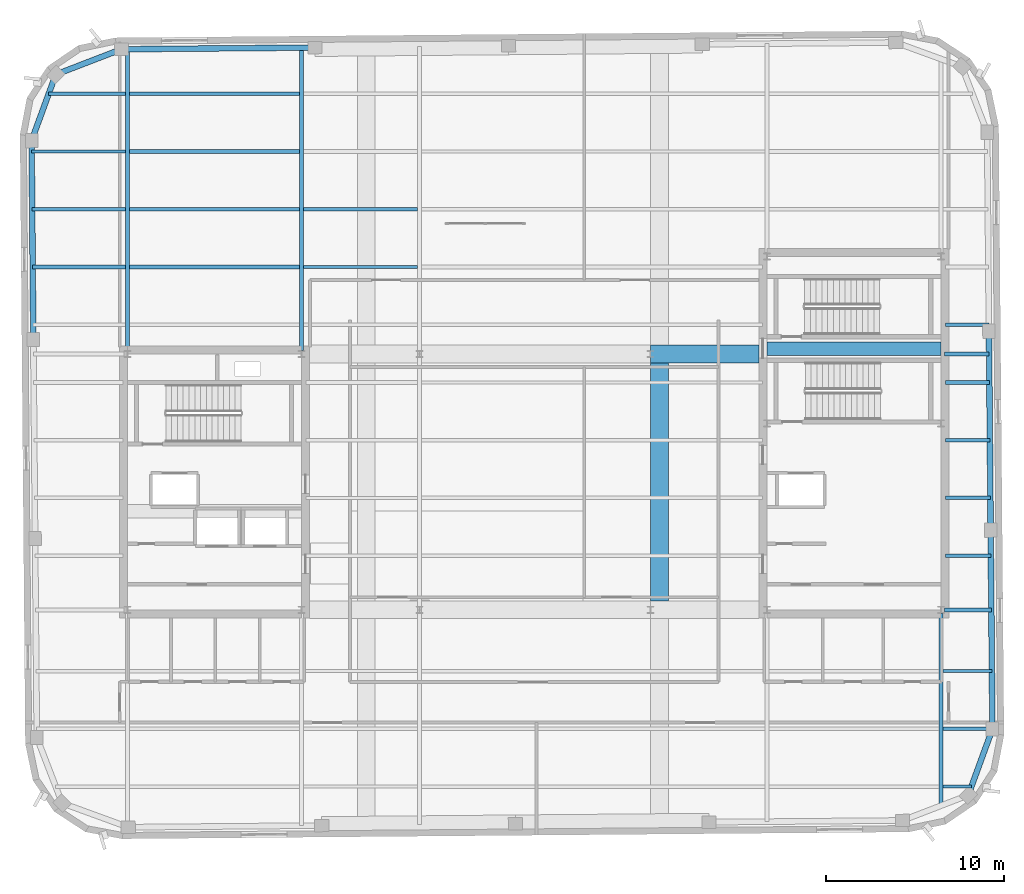
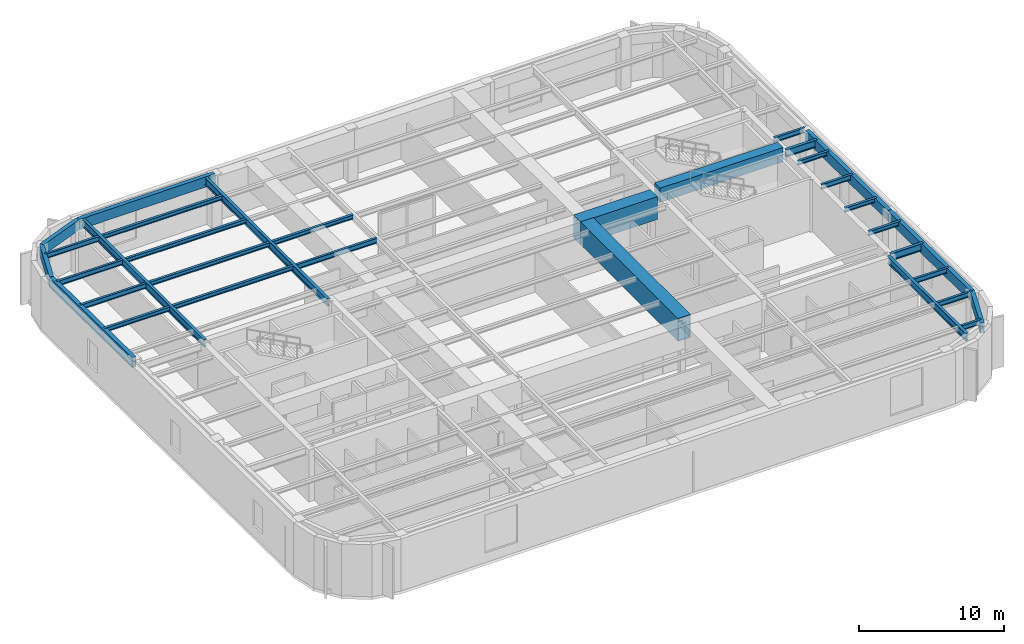
# One storey, part 5 of 14: 33 beams.
"""IFC4 building model written with IfcOpenShell, lengths in metres."""

from ifc_helpers import new_model, si_unit, direction, frame, origin, origin_2d, place, context, subcontext, project, spatial, rectangle, hollow_rectangle, i_section, extrude, material, material_profile, profile_set, type_object, element, save


model = new_model("IFC4")

# Units and contexts
model_context = context("Model", 3, precision=1e-05, world=origin(), true_north=direction((0.0, 1.0)))
body_context = subcontext(model_context, "Body", "Model", "MODEL_VIEW")
ifc_project = project(units=[si_unit("LENGTHUNIT", "METRE"), si_unit("AREAUNIT", "SQUARE_METRE"), si_unit("VOLUMEUNIT", "CUBIC_METRE"), si_unit("PLANEANGLEUNIT", "RADIAN"), si_unit("MASSUNIT", "GRAM", prefix="KILO")], contexts=[model_context])

# Site, building, storey
site_placement = place(None, origin())
site = spatial("IfcSite", under=ifc_project, at=site_placement, CompositionType="ELEMENT")
building_placement = place(site_placement, origin())
building = spatial("IfcBuilding", under=site, at=building_placement, Name="Kolvaren Arena Tower", CompositionType="ELEMENT")
storey_placement = place(building_placement, frame((0.0, 0.0, 317.199951171875)))
storey = spatial("IfcBuildingStorey", under=building, at=storey_placement, Name="L78", CompositionType="ELEMENT", Elevation=317.199951171875)

# Beams
ifc_material_1 = material(Name="Steel CSA G40.21 350W", Category="steel")
ifc_material_profile_1 = material_profile(ifc_material_1, i_section(OverallWidth=0.180908203125, OverallDepth=0.4169921875, WebThickness=0.010986328125, FlangeThickness=0.018310546875, FilletRadius=0.011962890625, at=origin_2d()), Name="W410x85")
ifc_profile_set_1 = profile_set([ifc_material_profile_1], Name="Steel CSA G40.21 350W")
beam_type_1 = type_object("IfcBeamType", Name="BEAM-F3", PredefinedType="BEAM", material=ifc_profile_set_1)
beam_1_placement = place(storey_placement, frame((60.464111328125, 9.5, 4.171630859375), z_axis=(1.0, 0.0, 0.0), x_axis=(0.0, 1.0, 0.0)))
element("IfcBeam", 1, at=beam_1_placement, inside=storey, type_object=beam_type_1, Name="Composite Floor Beam (L78)", PredefinedType="BEAM", context=body_context, shape_type="SweptSolid", body=[
    extrude(i_section(OverallWidth=0.180908203125, OverallDepth=0.4169921875, WebThickness=0.010986328125, FlangeThickness=0.018310546875, FilletRadius=0.011962890625, at=origin_2d()), origin(), (0.0, 0.0, 1.0), 1.60009765625),
])
beam_2_placement = place(storey_placement, frame((60.464111328125, 12.75, 4.171630859375), z_axis=(1.0, 0.0, 0.0), x_axis=(0.0, 1.0, 0.0)))
element("IfcBeam", 2, at=beam_2_placement, inside=storey, type_object=beam_type_1, Name="Composite Floor Beam (L78)", PredefinedType="BEAM", context=body_context, shape_type="SweptSolid", body=[
    extrude(i_section(OverallWidth=0.180908203125, OverallDepth=0.4169921875, WebThickness=0.010986328125, FlangeThickness=0.018310546875, FilletRadius=0.011962890625, at=origin_2d()), origin(), (0.0, 0.0, 1.0), 2.781494140625),
])
beam_3_placement = place(storey_placement, frame((60.464111328125, 16.0, 4.171630859375), z_axis=(1.0, 0.0, 0.0), x_axis=(0.0, 1.0, 0.0)))
element("IfcBeam", 3, at=beam_3_placement, inside=storey, type_object=beam_type_1, Name="Composite Floor Beam (L78)", PredefinedType="BEAM", context=body_context, shape_type="SweptSolid", body=[
    extrude(i_section(OverallWidth=0.180908203125, OverallDepth=0.4169921875, WebThickness=0.010986328125, FlangeThickness=0.018310546875, FilletRadius=0.011962890625, at=origin_2d()), origin(), (0.0, 0.0, 1.0), 2.7529296875),
])
beam_4_placement = place(storey_placement, frame((60.594970703125, 29.0, 4.171630859375), z_axis=(1.0, 0.0, 0.0), x_axis=(0.0, 1.0, 0.0)))
element("IfcBeam", 4, at=beam_4_placement, inside=storey, type_object=beam_type_1, Name="Composite Floor Beam (L78)", PredefinedType="BEAM", context=body_context, shape_type="SweptSolid", body=[
    extrude(i_section(OverallWidth=0.180908203125, OverallDepth=0.4169921875, WebThickness=0.010986328125, FlangeThickness=0.018310546875, FilletRadius=0.011962890625, at=origin_2d()), origin(), (0.0, 0.0, 1.0), 2.508544921875),
])
beam_5_placement = place(storey_placement, frame((60.594970703125, 35.5, 4.171630859375), z_axis=(1.0, 0.0, 0.0), x_axis=(0.0, 1.0, 0.0)))
element("IfcBeam", 5, at=beam_5_placement, inside=storey, type_object=beam_type_1, Name="Composite Floor Beam (L78)", PredefinedType="BEAM", context=body_context, shape_type="SweptSolid", body=[
    extrude(i_section(OverallWidth=0.180908203125, OverallDepth=0.4169921875, WebThickness=0.010986328125, FlangeThickness=0.018310546875, FilletRadius=0.011962890625, at=origin_2d()), origin(), (0.0, 0.0, 1.0), 2.451904296875),
])
beam_6_placement = place(storey_placement, frame((24.464111328125, 38.75, 4.171630859375), z_axis=(1.0, 0.0, 0.0), x_axis=(0.0, 1.0, 0.0)))
element("IfcBeam", 6, at=beam_6_placement, inside=storey, type_object=beam_type_1, Name="Composite Floor Beam (L78)", PredefinedType="BEAM", context=body_context, shape_type="SweptSolid", body=[
    extrude(i_section(OverallWidth=0.180908203125, OverallDepth=0.4169921875, WebThickness=0.010986328125, FlangeThickness=0.018310546875, FilletRadius=0.011962890625, at=origin_2d()), origin(), (0.0, 0.0, 1.0), 6.421875),
])
beam_7_placement = place(storey_placement, frame((9.18798828125, 42.0, 4.171630859375), z_axis=(1.0, 0.0, 0.0), x_axis=(0.0, 1.0, 0.0)))
element("IfcBeam", 7, at=beam_7_placement, inside=storey, type_object=beam_type_1, Name="Composite Floor Beam (L78)", PredefinedType="BEAM", context=body_context, shape_type="SweptSolid", body=[
    extrude(i_section(OverallWidth=0.180908203125, OverallDepth=0.4169921875, WebThickness=0.010986328125, FlangeThickness=0.018310546875, FilletRadius=0.011962890625, at=origin_2d()), origin(), (0.0, 0.0, 1.0), 5.248046875),
])
beam_8_placement = place(storey_placement, frame((9.159912109375, 45.25, 4.171630859375), z_axis=(1.0, 0.0, 0.0), x_axis=(0.0, 1.0, 0.0)))
element("IfcBeam", 8, at=beam_8_placement, inside=storey, type_object=beam_type_1, Name="Composite Floor Beam (L78)", PredefinedType="BEAM", context=body_context, shape_type="SweptSolid", body=[
    extrude(i_section(OverallWidth=0.180908203125, OverallDepth=0.4169921875, WebThickness=0.010986328125, FlangeThickness=0.018310546875, FilletRadius=0.011962890625, at=origin_2d()), origin(), (0.0, 0.0, 1.0), 5.276123046875),
])
beam_9_placement = place(storey_placement, frame((10.11669921875, 48.5, 4.171630859375), z_axis=(1.0, 0.0, 0.0), x_axis=(0.0, 1.0, 0.0)))
element("IfcBeam", 9, at=beam_9_placement, inside=storey, type_object=beam_type_1, Name="Composite Floor Beam (L78)", PredefinedType="BEAM", context=body_context, shape_type="SweptSolid", body=[
    extrude(i_section(OverallWidth=0.180908203125, OverallDepth=0.4169921875, WebThickness=0.010986328125, FlangeThickness=0.018310546875, FilletRadius=0.011962890625, at=origin_2d()), origin(), (0.0, 0.0, 1.0), 4.3193359375),
])
ifc_material_2 = material(Name="Concrete 60 MPa", Category="concrete")
ifc_material_profile_2 = material_profile(ifc_material_2, rectangle(XDim=0.75, YDim=1.199951171875, at=origin_2d()), Name="RC-750x1200")
ifc_profile_set_2 = profile_set([ifc_material_profile_2], Name="Concrete 60 MPa")
beam_type_2 = type_object("IfcBeamType", Name="CB-CORE-2", PredefinedType="BEAM", material=ifc_profile_set_2)
beam_10_placement = place(storey_placement, frame((50.550048828125, 34.14990234375, 4.050048828125), z_axis=(1.0, 0.0, 0.0), x_axis=(0.0, 1.0, 0.0)))
element("IfcBeam", 10, at=beam_10_placement, inside=storey, type_object=beam_type_2, Name="East Core Coupling Beam (L78)", PredefinedType="BEAM", context=body_context, shape_type="SweptSolid", body=[
    extrude(rectangle(XDim=0.75, YDim=1.199951171875, at=origin_2d()), origin(), (0.0, 0.0, 1.0), 9.800048828125),
])
ifc_material_profile_3 = material_profile(ifc_material_1, i_section(OverallWidth=0.22802734375, OverallDepth=0.615966796875, WebThickness=0.013916015625, FlangeThickness=0.02490234375, FilletRadius=0.014892578125, at=origin_2d()), Name="W610x174")
ifc_profile_set_3 = profile_set([ifc_material_profile_3], Name="Steel CSA G40.21 350W")
beam_type_3 = type_object("IfcBeamType", Name="GIRD-T3", PredefinedType="BEAM", material=ifc_profile_set_3)
beam_11_placement = place(storey_placement, frame((60.554931640625, 19.449951171875, 4.072021484375), z_axis=(1.0, 0.0, 0.0), x_axis=(0.0, 1.0, 0.0)))
element("IfcBeam", 11, at=beam_11_placement, inside=storey, type_object=beam_type_3, Name="Primary Floor Girder (L78)", PredefinedType="BEAM", context=body_context, shape_type="SweptSolid", body=[
    extrude(i_section(OverallWidth=0.22802734375, OverallDepth=0.615966796875, WebThickness=0.013916015625, FlangeThickness=0.02490234375, FilletRadius=0.014892578125, at=origin_2d()), origin(), (0.0, 0.0, 1.0), 2.632080078125),
])
beam_12_placement = place(storey_placement, frame((60.554931640625, 33.85009765625, 4.072021484375), z_axis=(1.0, 0.0, 0.0), x_axis=(0.0, 1.0, 0.0)))
element("IfcBeam", 12, at=beam_12_placement, inside=storey, type_object=beam_type_3, Name="Primary Floor Girder (L78)", PredefinedType="BEAM", context=body_context, shape_type="SweptSolid", body=[
    extrude(i_section(OverallWidth=0.22802734375, OverallDepth=0.615966796875, WebThickness=0.013916015625, FlangeThickness=0.02490234375, FilletRadius=0.014892578125, at=origin_2d()), origin(), (0.0, 0.0, 1.0), 2.50634765625),
])
beam_13_placement = place(storey_placement, frame((14.550048828125, 34.054931640625, 4.072021484375), z_axis=(0.0, 1.0, 0.0), x_axis=(-1.0, 0.0, 0.0)))
element("IfcBeam", 13, at=beam_13_placement, inside=storey, type_object=beam_type_3, Name="Primary Floor Girder (L78)", PredefinedType="BEAM", context=body_context, shape_type="SweptSolid", body=[
    extrude(i_section(OverallWidth=0.22802734375, OverallDepth=0.615966796875, WebThickness=0.013916015625, FlangeThickness=0.02490234375, FilletRadius=0.014892578125, at=origin_2d()), origin(), (0.0, 0.0, 1.0), 16.95703125),
])
beam_14_placement = place(storey_placement, frame((24.35009765625, 34.054931640625, 4.072021484375), z_axis=(0.0, 1.0, 0.0), x_axis=(-1.0, 0.0, 0.0)))
element("IfcBeam", 14, at=beam_14_placement, inside=storey, type_object=beam_type_3, Name="Primary Floor Girder (L78)", PredefinedType="BEAM", context=body_context, shape_type="SweptSolid", body=[
    extrude(i_section(OverallWidth=0.22802734375, OverallDepth=0.615966796875, WebThickness=0.013916015625, FlangeThickness=0.02490234375, FilletRadius=0.014892578125, at=origin_2d()), origin(), (0.0, 0.0, 1.0), 17.04248046875),
])
beam_15_placement = place(storey_placement, frame((60.35009765625, 8.4228515625, 4.072021484375), z_axis=(0.0, 1.0, 0.0), x_axis=(-1.0, 0.0, 0.0)))
element("IfcBeam", 15, at=beam_15_placement, inside=storey, type_object=beam_type_3, Name="Primary Floor Girder (L78)", PredefinedType="BEAM", context=body_context, shape_type="SweptSolid", body=[
    extrude(i_section(OverallWidth=0.22802734375, OverallDepth=0.615966796875, WebThickness=0.013916015625, FlangeThickness=0.02490234375, FilletRadius=0.014892578125, at=origin_2d()), origin(), (0.0, 0.0, 1.0), 10.822265625),
])
ifc_material_profile_4 = material_profile(ifc_material_1, i_section(OverallWidth=0.202880859375, OverallDepth=0.346923828125, WebThickness=0.0078125, FlangeThickness=0.013427734375, FilletRadius=0.010986328125, at=origin_2d()), Name="W360x64")
ifc_profile_set_4 = profile_set([ifc_material_profile_4], Name="Steel CSA G40.21 350W")
beam_type_4 = type_object("IfcBeamType", Name="JOIST-01", PredefinedType="JOIST", material=ifc_profile_set_4)
beam_16_placement = place(storey_placement, frame((60.594970703125, 22.5, 4.20654296875), z_axis=(1.0, 0.0, 0.0), x_axis=(0.0, 1.0, 0.0)))
element("IfcBeam", 16, at=beam_16_placement, inside=storey, type_object=beam_type_4, Name="Composite Floor Joist (L78)", PredefinedType="JOIST", context=body_context, shape_type="SweptSolid", body=[
    extrude(i_section(OverallWidth=0.202880859375, OverallDepth=0.346923828125, WebThickness=0.0078125, FlangeThickness=0.013427734375, FilletRadius=0.010986328125, at=origin_2d()), origin(), (0.0, 0.0, 1.0), 2.5654296875),
])
beam_17_placement = place(storey_placement, frame((60.594970703125, 25.75, 4.20654296875), z_axis=(1.0, 0.0, 0.0), x_axis=(0.0, 1.0, 0.0)))
element("IfcBeam", 17, at=beam_17_placement, inside=storey, type_object=beam_type_4, Name="Composite Floor Joist (L78)", PredefinedType="JOIST", context=body_context, shape_type="SweptSolid", body=[
    extrude(i_section(OverallWidth=0.202880859375, OverallDepth=0.346923828125, WebThickness=0.0078125, FlangeThickness=0.013427734375, FilletRadius=0.010986328125, at=origin_2d()), origin(), (0.0, 0.0, 1.0), 2.537109375),
])
beam_18_placement = place(storey_placement, frame((60.594970703125, 32.25, 4.20654296875), z_axis=(1.0, 0.0, 0.0), x_axis=(0.0, 1.0, 0.0)))
element("IfcBeam", 18, at=beam_18_placement, inside=storey, type_object=beam_type_4, Name="Composite Floor Joist (L78)", PredefinedType="JOIST", context=body_context, shape_type="SweptSolid", body=[
    extrude(i_section(OverallWidth=0.202880859375, OverallDepth=0.346923828125, WebThickness=0.0078125, FlangeThickness=0.013427734375, FilletRadius=0.010986328125, at=origin_2d()), origin(), (0.0, 0.0, 1.0), 2.480224609375),
])
beam_19_placement = place(storey_placement, frame((9.216552734375, 38.75, 4.20654296875), z_axis=(1.0, 0.0, 0.0), x_axis=(0.0, 1.0, 0.0)))
element("IfcBeam", 19, at=beam_19_placement, inside=storey, type_object=beam_type_4, Name="Composite Floor Joist (L78)", PredefinedType="JOIST", context=body_context, shape_type="SweptSolid", body=[
    extrude(i_section(OverallWidth=0.202880859375, OverallDepth=0.346923828125, WebThickness=0.0078125, FlangeThickness=0.013427734375, FilletRadius=0.010986328125, at=origin_2d()), origin(), (0.0, 0.0, 1.0), 5.219482421875),
])
for number, where, z_axis, x_axis, name in (
    (20, (14.6640625, 38.75, 4.20654296875), (1.0, 0.0, 0.0), (0.0, 1.0, 0.0), "Composite Floor Joist (L78)"),
    (21, (14.6640625, 42.0, 4.20654296875), (1.0, 0.0, 0.0), (0.0, 1.0, 0.0), "Composite Floor Joist (L78)"),
):
    element("IfcBeam", number, at=place(storey_placement, frame(where, z_axis=z_axis, x_axis=x_axis)), inside=storey, type_object=beam_type_4, Name=name, PredefinedType="JOIST", context=body_context, shape_type="SweptSolid", body=[
        extrude(i_section(OverallWidth=0.202880859375, OverallDepth=0.346923828125, WebThickness=0.0078125, FlangeThickness=0.013427734375, FilletRadius=0.010986328125, at=origin_2d()), origin(), (0.0, 0.0, 1.0), 9.572021484375),
    ])
beam_20_placement = place(storey_placement, frame((24.464111328125, 42.0, 4.20654296875), z_axis=(1.0, 0.0, 0.0), x_axis=(0.0, 1.0, 0.0)))
element("IfcBeam", 22, at=beam_20_placement, inside=storey, type_object=beam_type_4, Name="Composite Floor Joist (L78)", PredefinedType="JOIST", context=body_context, shape_type="SweptSolid", body=[
    extrude(i_section(OverallWidth=0.202880859375, OverallDepth=0.346923828125, WebThickness=0.0078125, FlangeThickness=0.013427734375, FilletRadius=0.010986328125, at=origin_2d()), origin(), (0.0, 0.0, 1.0), 6.421875),
])
for number, where, z_axis, x_axis, name in (
    (23, (14.6640625, 45.25, 4.20654296875), (1.0, 0.0, 0.0), (0.0, 1.0, 0.0), "Composite Floor Joist (L78)"),
    (24, (14.6640625, 48.5, 4.20654296875), (1.0, 0.0, 0.0), (0.0, 1.0, 0.0), "Composite Floor Joist (L78)"),
):
    element("IfcBeam", number, at=place(storey_placement, frame(where, z_axis=z_axis, x_axis=x_axis)), inside=storey, type_object=beam_type_4, Name=name, PredefinedType="JOIST", context=body_context, shape_type="SweptSolid", body=[
        extrude(i_section(OverallWidth=0.202880859375, OverallDepth=0.346923828125, WebThickness=0.0078125, FlangeThickness=0.013427734375, FilletRadius=0.010986328125, at=origin_2d()), origin(), (0.0, 0.0, 1.0), 9.572021484375),
    ])
ifc_material_3 = material(Name="Steel CSA G40.21 350WT", Category="steel")
ifc_material_profile_5 = material_profile(ifc_material_3, hollow_rectangle(XDim=0.320068359375, YDim=0.860107421875, WallThickness=0.01806640625, at=origin_2d()), Name="HSS 860x320x18")
ifc_profile_set_5 = profile_set([ifc_material_profile_5], Name="Steel CSA G40.21 350WT")
beam_type_5 = type_object("IfcBeamType", Name="SPAND-02", PredefinedType="SPANDREL", material=ifc_profile_set_5)
beam_21_placement = place(storey_placement, frame((61.88671875, 9.0146484375, 3.949951171875), z_axis=(0.343059102458, 0.939313819882, 0.0), x_axis=(-0.939313819882, 0.343059102458, 0.0)))
element("IfcBeam", 25, at=beam_21_placement, inside=storey, type_object=beam_type_5, Name="Perimeter Spandrel Beam (L78)", PredefinedType="SPANDREL", context=body_context, shape_type="SweptSolid", body=[
    extrude(hollow_rectangle(XDim=0.320068359375, YDim=0.860107421875, WallThickness=0.01806640625, at=origin_2d()), origin(), (0.0, 0.0, 1.0), 3.961181640625),
])
beam_22_placement = place(storey_placement, frame((63.24560546875, 12.7353515625, 3.949951171875), z_axis=(-0.008741001013, 0.999961796721, 0.0), x_axis=(-0.999961796721, -0.008741001013, 0.0)))
element("IfcBeam", 26, at=beam_22_placement, inside=storey, type_object=beam_type_5, Name="Perimeter Spandrel Beam (L78)", PredefinedType="SPANDREL", context=body_context, shape_type="SweptSolid", body=[
    extrude(hollow_rectangle(XDim=0.320068359375, YDim=0.860107421875, WallThickness=0.01806640625, at=origin_2d()), origin(), (0.0, 0.0, 1.0), 11.2001953125),
])
beam_23_placement = place(storey_placement, frame((63.147705078125, 23.93505859375, 3.949951171875), z_axis=(-0.008719394723, 0.999961985355, 0.0), x_axis=(-0.999961985355, -0.008719394723, 0.0)))
element("IfcBeam", 27, at=beam_23_placement, inside=storey, type_object=beam_type_5, Name="Perimeter Spandrel Beam (L78)", PredefinedType="SPANDREL", context=body_context, shape_type="SweptSolid", body=[
    extrude(hollow_rectangle(XDim=0.320068359375, YDim=0.860107421875, WallThickness=0.01806640625, at=origin_2d()), origin(), (0.0, 0.0, 1.0), 11.199951171875),
])
beam_24_placement = place(storey_placement, frame((25.109375, 51.10400390625, 3.949951171875), z_axis=(-0.999961846999, -0.008735247404, 0.0), x_axis=(0.008735247404, -0.999961846999, 0.0)))
element("IfcBeam", 28, at=beam_24_placement, inside=storey, type_object=beam_type_5, Name="Perimeter Spandrel Beam (L78)", PredefinedType="SPANDREL", context=body_context, shape_type="SweptSolid", body=[
    extrude(hollow_rectangle(XDim=0.320068359375, YDim=0.860107421875, WallThickness=0.01806640625, at=origin_2d()), origin(), (0.0, 0.0, 1.0), 10.900146484375),
])
beam_25_placement = place(storey_placement, frame((14.209716796875, 51.0087890625, 3.949951171875), z_axis=(-0.933210515777, -0.359330117362, 0.0), x_axis=(0.359330117362, -0.933210515777, 0.0)))
element("IfcBeam", 29, at=beam_25_placement, inside=storey, type_object=beam_type_5, Name="Perimeter Spandrel Beam (L78)", PredefinedType="SPANDREL", context=body_context, shape_type="SweptSolid", body=[
    extrude(hollow_rectangle(XDim=0.320068359375, YDim=0.860107421875, WallThickness=0.01806640625, at=origin_2d()), origin(), (0.0, 0.0, 1.0), 3.961181640625),
])
beam_26_placement = place(storey_placement, frame((10.51318359375, 49.58544921875, 3.949951171875), z_axis=(-0.343039242335, -0.939321073019, 0.0), x_axis=(0.939321073019, -0.343039242335, 0.0)))
element("IfcBeam", 30, at=beam_26_placement, inside=storey, type_object=beam_type_5, Name="Perimeter Spandrel Beam (L78)", PredefinedType="SPANDREL", context=body_context, shape_type="SweptSolid", body=[
    extrude(hollow_rectangle(XDim=0.320068359375, YDim=0.860107421875, WallThickness=0.01806640625, at=origin_2d()), origin(), (0.0, 0.0, 1.0), 3.96142578125),
])
beam_27_placement = place(storey_placement, frame((9.154296875, 45.864501953125, 3.949951171875), z_axis=(0.008741191547, -0.999961795055, 0.0), x_axis=(0.999961795055, 0.008741191547, 0.0)))
element("IfcBeam", 31, at=beam_27_placement, inside=storey, type_object=beam_type_5, Name="Perimeter Spandrel Beam (L78)", PredefinedType="SPANDREL", context=body_context, shape_type="SweptSolid", body=[
    extrude(hollow_rectangle(XDim=0.320068359375, YDim=0.860107421875, WallThickness=0.01806640625, at=origin_2d()), origin(), (0.0, 0.0, 1.0), 11.199951171875),
])
ifc_material_profile_6 = material_profile(ifc_material_3, hollow_rectangle(XDim=1.0, YDim=1.919921875, WallThickness=0.044921875, at=origin_2d()), Name="BOX 1000x1920x45")
ifc_profile_set_6 = profile_set([ifc_material_profile_6], Name="Steel CSA G40.21 350WT")
beam_type_6 = type_object("IfcBeamType", Name="TG-MEGA", PredefinedType="USERDEFINED", material=ifc_profile_set_6)
beam_28_placement = place(storey_placement, frame((44.0, 33.85009765625, 3.400146484375), z_axis=(1.0, 0.0, 0.0), x_axis=(0.0, 1.0, 0.0)))
element("IfcBeam", 32, at=beam_28_placement, inside=storey, type_object=beam_type_6, Name="Wind-Portal Primary Transfer Girder (L78)", ObjectType="TRANSFER GIRDER", PredefinedType="USERDEFINED", context=body_context, shape_type="SweptSolid", body=[
    extrude(hollow_rectangle(XDim=1.0, YDim=1.919921875, WallThickness=0.044921875, at=origin_2d()), origin(), (0.0, 0.0, 1.0), 6.10009765625),
])
beam_29_placement = place(storey_placement, frame((44.5, 19.93994140625, 3.420166015625), z_axis=(0.0, 1.0, 0.0), x_axis=(-1.0, 0.0, 0.0)))
element("IfcBeam", 33, at=beam_29_placement, inside=storey, type_object=beam_type_6, Name="Wind-Portal Throat Support Transfer Girder (E2)", ObjectType="TRANSFER GIRDER", PredefinedType="USERDEFINED", context=body_context, shape_type="SweptSolid", body=[
    extrude(hollow_rectangle(XDim=1.0, YDim=1.919921875, WallThickness=0.044921875, at=origin_2d()), origin(), (0.0, 0.0, 1.0), 13.420166015625),
])

save(model, "model.ifc")
